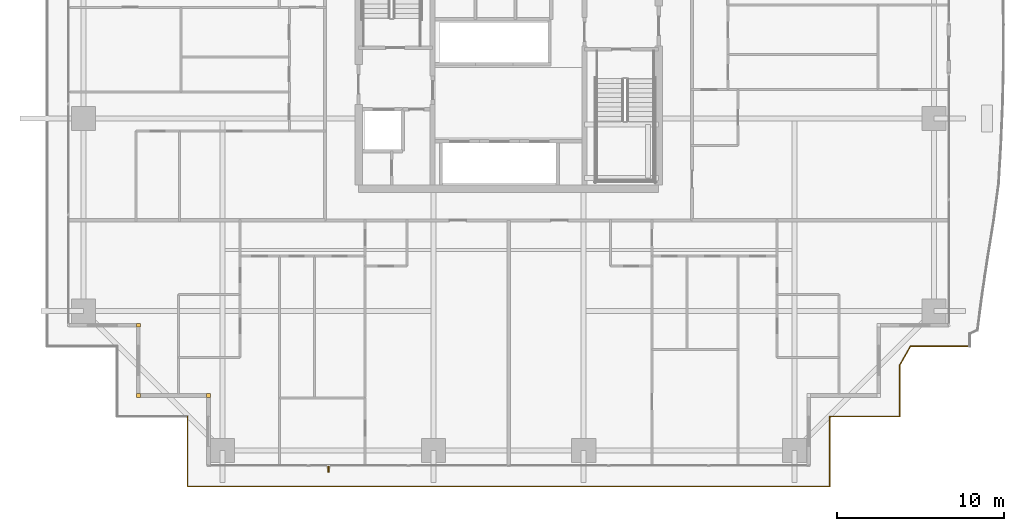
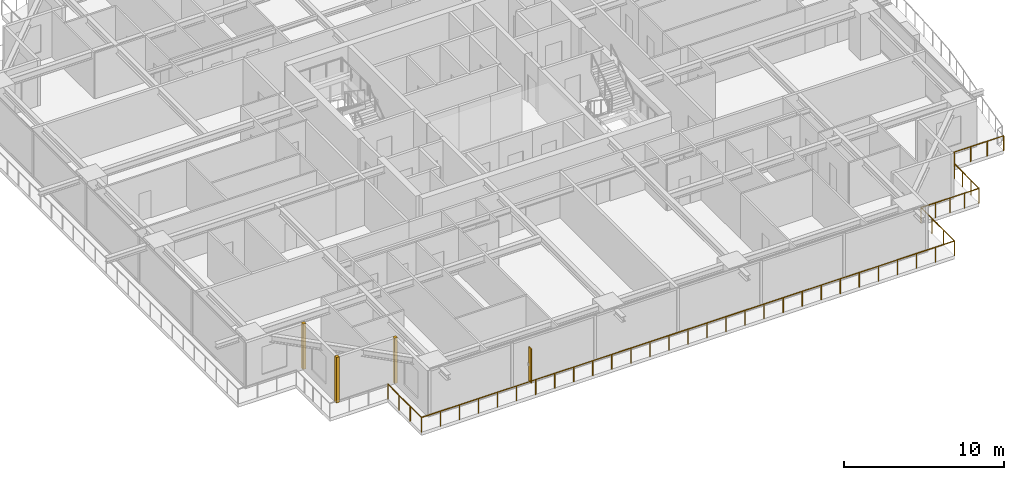
# One storey, part 34 of 39: 3 coverings, 1 railing, 1 shading device.
"""IFC4 building model written with IfcOpenShell, lengths in metres."""

from ifc_helpers import new_model, si_unit, direction, frame, origin, origin_2d, place, context, subcontext, project, spatial, rectangle, circle, extrude, source, transform, mapped, material, layer, layer_set, type_object, element, save


model = new_model("IFC4")

# Units and contexts
model_context = context("Model", 3, precision=1e-05, world=origin(), true_north=direction((0.0, 1.0)))
body_context = subcontext(model_context, "Body", "Model", "MODEL_VIEW")
ifc_project = project(units=[si_unit("LENGTHUNIT", "METRE"), si_unit("AREAUNIT", "SQUARE_METRE"), si_unit("VOLUMEUNIT", "CUBIC_METRE"), si_unit("PLANEANGLEUNIT", "RADIAN"), si_unit("MASSUNIT", "GRAM", prefix="KILO")], contexts=[model_context])

# Site, building, storey
site_placement = place(None, origin())
site = spatial("IfcSite", under=ifc_project, at=site_placement, CompositionType="ELEMENT")
building_placement = place(site_placement, origin())
building = spatial("IfcBuilding", under=site, at=building_placement, Name="Serunith Strait Residences", CompositionType="ELEMENT")
storey_placement = place(building_placement, frame((0.0, 0.0, 97.949951171875)))
storey = spatial("IfcBuildingStorey", under=building, at=storey_placement, Name="L24", CompositionType="ELEMENT", Elevation=97.949951171875)

# Railing
ifc_material_1 = material(Name="Stainless Steel & Laminated Glass Balustrade", Category="steel")
railing_type = type_object("IfcRailingType", Name="RLG-BALC-1150", PredefinedType="BALUSTRADE", material=ifc_material_1)
railing_placement = place(storey_placement, frame((60.06005859375, 7.340087890625, -0.050048828125)))
element("IfcRailing", 1, at=railing_placement, inside=storey, type_object=railing_type, Name="L24 Swirling Balcony Perimeter Balustrade 7", PredefinedType="BALUSTRADE", context=body_context, shape_type="SweptSolid", body=[
    extrude(circle(Radius=0.02392578125, at=origin_2d()), frame((-0.001953125, 0.0, 1.1259765625), z_axis=(-1.0, 0.0, 0.0), x_axis=(0.0, -1.0, 0.0)), (0.0, 0.0, 1.0), 3.566162109375),
    extrude(circle(Radius=0.02392578125, at=origin_2d()), frame((-3.571044921875, -0.001708984375, 1.1259765625), z_axis=(-0.494816492225, -0.868997490803, 0.0), x_axis=(0.868997490803, -0.494816492225, 0.0)), (0.0, 0.0, 1.0), 1.26904296875),
    extrude(circle(Radius=0.02392578125, at=origin_2d()), frame((-4.199951171875, -1.108154296875, 1.1259765625), z_axis=(0.0, -1.0, 0.0), x_axis=(1.0, 0.0, 0.0)), (0.0, 0.0, 1.0), 3.090087890625),
    extrude(circle(Radius=0.02392578125, at=origin_2d()), frame((-4.201904296875, -4.2001953125, 1.1259765625), z_axis=(-1.0, 0.0, 0.0), x_axis=(0.0, -1.0, 0.0)), (0.0, 0.0, 1.0), 4.1962890625),
    extrude(circle(Radius=0.02392578125, at=origin_2d()), frame((-8.400146484375, -4.2021484375, 1.1259765625), z_axis=(0.0, -1.0, 0.0), x_axis=(1.0, 0.0, 0.0)), (0.0, 0.0, 1.0), 4.196044921875),
    extrude(circle(Radius=0.02392578125, at=origin_2d()), frame((-8.402099609375, -8.400146484375, 1.1259765625), z_axis=(-1.0, 0.0, 0.0), x_axis=(0.0, -1.0, 0.0)), (0.0, 0.0, 1.0), 38.51611328125),
    extrude(circle(Radius=0.02392578125, at=origin_2d()), frame((-46.920166015625, -8.398193359375, 1.1259765625), z_axis=(0.0, 1.0, 0.0), x_axis=(-1.0, 0.0, 0.0)), (0.0, 0.0, 1.0), 4.196044921875),
    extrude(circle(Radius=0.02099609375, at=origin_2d()), origin(), (0.0, 0.0, 1.0), 1.099853515625),
    extrude(circle(Radius=0.02099609375, at=origin_2d()), frame((-1.18994140625, 0.0, 0.0)), (0.0, 0.0, 1.0), 1.099853515625),
    extrude(circle(Radius=0.02099609375, at=origin_2d()), frame((-2.380126953125, 0.0, 0.0)), (0.0, 0.0, 1.0), 1.099853515625),
    extrude(circle(Radius=0.02099609375, at=origin_2d()), frame((-3.570068359375, 0.0, 0.0)), (0.0, 0.0, 1.0), 1.099853515625),
    extrude(circle(Radius=0.02099609375, at=origin_2d()), frame((-4.199951171875, -1.106201171875, 0.0)), (0.0, 0.0, 1.0), 1.099853515625),
    extrude(circle(Radius=0.02099609375, at=origin_2d()), frame((-4.199951171875, -2.137451171875, 0.0)), (0.0, 0.0, 1.0), 1.099853515625),
    extrude(circle(Radius=0.02099609375, at=origin_2d()), frame((-4.199951171875, -3.1689453125, 0.0)), (0.0, 0.0, 1.0), 1.099853515625),
    extrude(circle(Radius=0.02099609375, at=origin_2d()), frame((-4.199951171875, -4.2001953125, 0.0)), (0.0, 0.0, 1.0), 1.099853515625),
    extrude(circle(Radius=0.02099609375, at=origin_2d()), frame((-5.25, -4.2001953125, 0.0)), (0.0, 0.0, 1.0), 1.099853515625),
    extrude(circle(Radius=0.02099609375, at=origin_2d()), frame((-6.300048828125, -4.2001953125, 0.0)), (0.0, 0.0, 1.0), 1.099853515625),
    extrude(circle(Radius=0.02099609375, at=origin_2d()), frame((-7.35009765625, -4.2001953125, 0.0)), (0.0, 0.0, 1.0), 1.099853515625),
    extrude(circle(Radius=0.02099609375, at=origin_2d()), frame((-8.400146484375, -4.2001953125, 0.0)), (0.0, 0.0, 1.0), 1.099853515625),
    extrude(circle(Radius=0.02099609375, at=origin_2d()), frame((-8.400146484375, -5.60009765625, 0.0)), (0.0, 0.0, 1.0), 1.099853515625),
    extrude(circle(Radius=0.02099609375, at=origin_2d()), frame((-8.400146484375, -7.000244140625, 0.0)), (0.0, 0.0, 1.0), 1.099853515625),
    extrude(circle(Radius=0.02099609375, at=origin_2d()), frame((-8.400146484375, -8.400146484375, 0.0)), (0.0, 0.0, 1.0), 1.099853515625),
    extrude(circle(Radius=0.02099609375, at=origin_2d()), frame((-9.77587890625, -8.400146484375, 0.0)), (0.0, 0.0, 1.0), 1.099853515625),
    extrude(circle(Radius=0.02099609375, at=origin_2d()), frame((-11.151611328125, -8.400146484375, 0.0)), (0.0, 0.0, 1.0), 1.099853515625),
    extrude(circle(Radius=0.02099609375, at=origin_2d()), frame((-12.52734375, -8.400146484375, 0.0)), (0.0, 0.0, 1.0), 1.099853515625),
    extrude(circle(Radius=0.02099609375, at=origin_2d()), frame((-13.903076171875, -8.400146484375, 0.0)), (0.0, 0.0, 1.0), 1.099853515625),
    extrude(circle(Radius=0.02099609375, at=origin_2d()), frame((-15.27880859375, -8.400146484375, 0.0)), (0.0, 0.0, 1.0), 1.099853515625),
    extrude(circle(Radius=0.02099609375, at=origin_2d()), frame((-16.654541015625, -8.400146484375, 0.0)), (0.0, 0.0, 1.0), 1.099853515625),
    extrude(circle(Radius=0.02099609375, at=origin_2d()), frame((-18.0302734375, -8.400146484375, 0.0)), (0.0, 0.0, 1.0), 1.099853515625),
    extrude(circle(Radius=0.02099609375, at=origin_2d()), frame((-19.40576171875, -8.400146484375, 0.0)), (0.0, 0.0, 1.0), 1.099853515625),
    extrude(circle(Radius=0.02099609375, at=origin_2d()), frame((-20.781494140625, -8.400146484375, 0.0)), (0.0, 0.0, 1.0), 1.099853515625),
    extrude(circle(Radius=0.02099609375, at=origin_2d()), frame((-22.1572265625, -8.400146484375, 0.0)), (0.0, 0.0, 1.0), 1.099853515625),
    extrude(circle(Radius=0.02099609375, at=origin_2d()), frame((-23.532958984375, -8.400146484375, 0.0)), (0.0, 0.0, 1.0), 1.099853515625),
    extrude(circle(Radius=0.02099609375, at=origin_2d()), frame((-24.90869140625, -8.400146484375, 0.0)), (0.0, 0.0, 1.0), 1.099853515625),
    extrude(circle(Radius=0.02099609375, at=origin_2d()), frame((-26.284423828125, -8.400146484375, 0.0)), (0.0, 0.0, 1.0), 1.099853515625),
    extrude(circle(Radius=0.02099609375, at=origin_2d()), frame((-27.66015625, -8.400146484375, 0.0)), (0.0, 0.0, 1.0), 1.099853515625),
    extrude(circle(Radius=0.02099609375, at=origin_2d()), frame((-29.035888671875, -8.400146484375, 0.0)), (0.0, 0.0, 1.0), 1.099853515625),
    extrude(circle(Radius=0.02099609375, at=origin_2d()), frame((-30.41162109375, -8.400146484375, 0.0)), (0.0, 0.0, 1.0), 1.099853515625),
    extrude(circle(Radius=0.02099609375, at=origin_2d()), frame((-31.787353515625, -8.400146484375, 0.0)), (0.0, 0.0, 1.0), 1.099853515625),
    extrude(circle(Radius=0.02099609375, at=origin_2d()), frame((-33.1630859375, -8.400146484375, 0.0)), (0.0, 0.0, 1.0), 1.099853515625),
    extrude(circle(Radius=0.02099609375, at=origin_2d()), frame((-34.538818359375, -8.400146484375, 0.0)), (0.0, 0.0, 1.0), 1.099853515625),
    extrude(circle(Radius=0.02099609375, at=origin_2d()), frame((-35.91455078125, -8.400146484375, 0.0)), (0.0, 0.0, 1.0), 1.099853515625),
    extrude(circle(Radius=0.02099609375, at=origin_2d()), frame((-37.2900390625, -8.400146484375, 0.0)), (0.0, 0.0, 1.0), 1.099853515625),
    extrude(circle(Radius=0.02099609375, at=origin_2d()), frame((-38.665771484375, -8.400146484375, 0.0)), (0.0, 0.0, 1.0), 1.099853515625),
    extrude(circle(Radius=0.02099609375, at=origin_2d()), frame((-40.04150390625, -8.400146484375, 0.0)), (0.0, 0.0, 1.0), 1.099853515625),
    extrude(circle(Radius=0.02099609375, at=origin_2d()), frame((-41.417236328125, -8.400146484375, 0.0)), (0.0, 0.0, 1.0), 1.099853515625),
    extrude(circle(Radius=0.02099609375, at=origin_2d()), frame((-42.79296875, -8.400146484375, 0.0)), (0.0, 0.0, 1.0), 1.099853515625),
    extrude(circle(Radius=0.02099609375, at=origin_2d()), frame((-44.168701171875, -8.400146484375, 0.0)), (0.0, 0.0, 1.0), 1.099853515625),
    extrude(circle(Radius=0.02099609375, at=origin_2d()), frame((-45.54443359375, -8.400146484375, 0.0)), (0.0, 0.0, 1.0), 1.099853515625),
    extrude(circle(Radius=0.02099609375, at=origin_2d()), frame((-46.920166015625, -8.400146484375, 0.0)), (0.0, 0.0, 1.0), 1.099853515625),
    extrude(circle(Radius=0.02099609375, at=origin_2d()), frame((-46.920166015625, -7.000244140625, 0.0)), (0.0, 0.0, 1.0), 1.099853515625),
    extrude(circle(Radius=0.02099609375, at=origin_2d()), frame((-46.920166015625, -5.60009765625, 0.0)), (0.0, 0.0, 1.0), 1.099853515625),
    extrude(circle(Radius=0.02099609375, at=origin_2d()), frame((-46.920166015625, -4.2001953125, 0.0)), (0.0, 0.0, 1.0), 1.099853515625),
])

# Coverings
ifc_material_2 = material(Name="Pale-Champagne Anodised Aluminium", Category="aluminium")
ifc_layer = layer(ifc_material_2, 0.219970703125, Name="Pale-Champagne Anodised Aluminium")
ifc_layer_set = layer_set([ifc_layer], Name="Pale-Champagne Anodised Aluminium")
covering_type = type_object("IfcCoveringType", Name="COV-CORN-TRIM", PredefinedType="CLADDING", material=ifc_layer_set)
shared_shape_1 = source(origin(), body_context, "Body", "SweptSolid", [
    extrude(rectangle(XDim=0.221923828125, YDim=0.221923828125, at=origin_2d()), origin(), (0.0, 0.0, 1.0), 3.47509765625),
])
for number, where, z_axis, x_axis, name in (
    (2, (10.199951171875, 8.60009765625, 0.0), (0.0, 0.0, 1.0), (1.0, 0.0, 0.0), "L24 Girih Serrated Corner Trim Post 17"),
    (3, (10.199951171875, 4.39990234375, 0.0), (0.0, 0.0, 1.0), (1.0, 0.0, 0.0), "L24 Girih Serrated Corner Trim Post 18"),
    (4, (14.39990234375, 4.39990234375, 0.0), (0.0, 0.0, 1.0), (1.0, 0.0, 0.0), "L24 Girih Serrated Corner Trim Post 19"),
):
    element("IfcCovering", number, at=place(storey_placement, frame(where, z_axis=z_axis, x_axis=x_axis)), inside=storey, type_object=covering_type, Name=name, PredefinedType="CLADDING", context=body_context, shape_type="MappedRepresentation", body=[
        mapped(shared_shape_1, transform((0.0, 0.0, 0.0), scale=1.0)),
    ])

# Shading device
ifc_material_3 = material(Name="Pale-Champagne Perforated Aluminium Fin", Category="aluminium")
shading_device_type = type_object("IfcShadingDeviceType", Name="SHD-DIAG-FIN", PredefinedType="AWNING", material=ifc_material_3)
shared_shape_2 = source(origin(), body_context, "Body", "SweptSolid", [
    extrude(rectangle(XDim=0.080078125, YDim=0.35009765625, at=origin_2d()), origin(), (0.0, 0.0, 1.0), 2.60009765625),
])
shading_device_placement = place(storey_placement, frame((21.60009765625, -0.02001953125, 0.199951171875), z_axis=(0.0, 0.0, 1.0), x_axis=(1.0, 0.0, 0.0)))
element("IfcShadingDevice", 5, at=shading_device_placement, inside=storey, type_object=shading_device_type, Name="L24 Diagonal Rhythm Solar Fin S", PredefinedType="AWNING", context=body_context, shape_type="MappedRepresentation", body=[
    mapped(shared_shape_2, transform((0.0, 0.0, 0.0), scale=1.0)),
])

save(model, "model.ifc")
